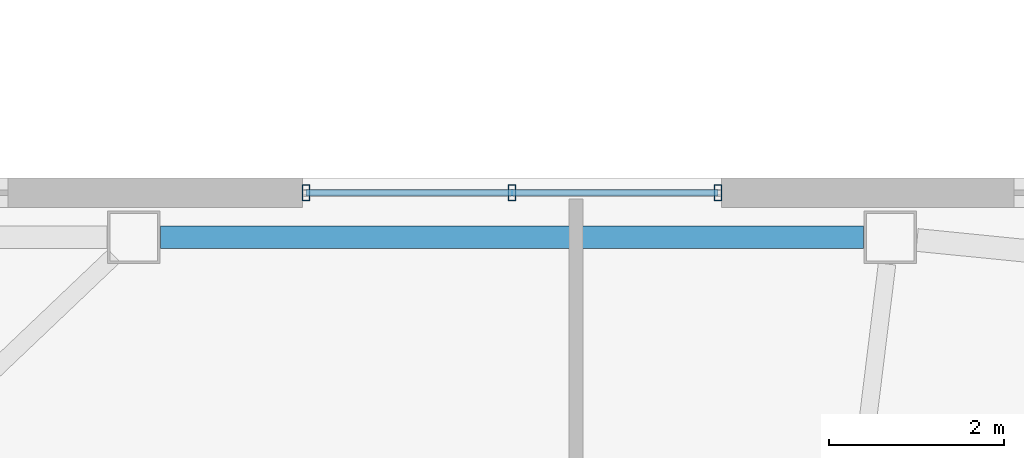
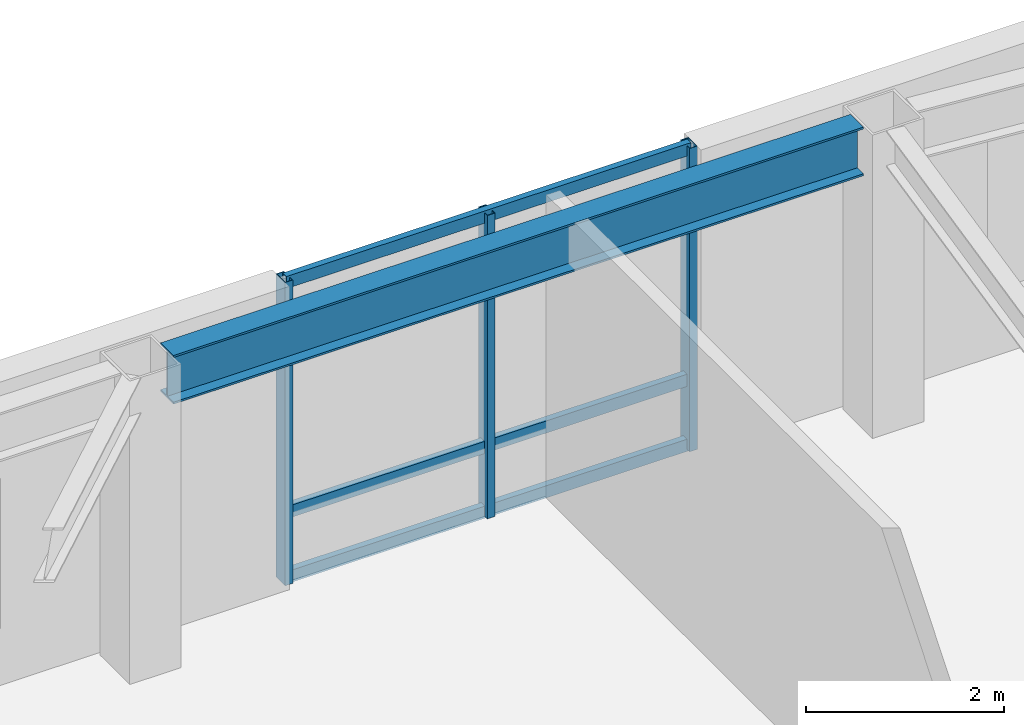
# One storey, part 8 of 20: 6 members, 1 beam, 1 element without a shape of its own.
"""IFC4 building model written with IfcOpenShell, lengths in metres."""

from ifc_helpers import new_model, si_unit, direction, frame, origin, origin_2d, place, context, subcontext, project, spatial, hollow_rectangle, i_section, extrude, material, layer, layer_set, material_profile, profile_set, type_object, element, aggregate, save


model = new_model("IFC4")

# Units and contexts
model_context = context("Model", 3, precision=1e-05, world=origin(), true_north=direction((0.0, 1.0)))
body_context = subcontext(model_context, "Body", "Model", "MODEL_VIEW")
ifc_project = project(units=[si_unit("LENGTHUNIT", "METRE"), si_unit("AREAUNIT", "SQUARE_METRE"), si_unit("VOLUMEUNIT", "CUBIC_METRE"), si_unit("PLANEANGLEUNIT", "RADIAN"), si_unit("MASSUNIT", "GRAM", prefix="KILO")], contexts=[model_context])

# Site, building, storey
site_placement = place(None, origin())
site = spatial("IfcSite", under=ifc_project, at=site_placement, CompositionType="ELEMENT")
building_placement = place(site_placement, origin())
building = spatial("IfcBuilding", under=site, at=building_placement, Name="Tavrogorsk Clinical Tower", CompositionType="ELEMENT")
storey_placement = place(building_placement, frame((0.0, 0.0, 176.199951171875)))
storey = spatial("IfcBuildingStorey", under=building, at=storey_placement, Name="L40", CompositionType="ELEMENT", Elevation=176.199951171875)

# Curtain wall, members
ifc_material_1 = material(Name="Anodised aluminium and triple IGU glazing", Category="aluminium")
ifc_layer = layer(ifc_material_1, 0.179931640625)
ifc_layer_set = layer_set([ifc_layer], Name="Anodised aluminium and triple IGU glazing")
curtain_wall_type = type_object("IfcCurtainWallType", Name="CW2_NorthSlot", PredefinedType="NOTDEFINED", material=ifc_layer_set)
curtain_wall_placement = place(storey_placement, origin())
curtain_wall = element("IfcCurtainWall", 1, at=curtain_wall_placement, inside=storey, type_object=curtain_wall_type, Name="L40 Curtain Wall CW-L40-N-SLOT-1", PredefinedType="NOTDEFINED")
ifc_material_2 = material(Name="Anodised aluminium alloy AW-6060", Category="aluminium")
ifc_material_profile_1 = material_profile(ifc_material_2, hollow_rectangle(XDim=0.090087890625, YDim=0.179931640625, WallThickness=0.00634765625, at=origin_2d()), Name="RHS-180x90x6.3")
ifc_profile_set_1 = profile_set([ifc_material_profile_1], Name="Anodised aluminium alloy AW-6060")
member_type_1 = type_object("IfcMemberType", Name="CwMullion_180x90", PredefinedType="MULLION", material=ifc_profile_set_1)
member_1_placement = place(storey_placement, frame((-3.90380859375, 26.929931640625, 0.0), z_axis=(0.0, 0.0, 1.0), x_axis=(-1.0, 0.0, 0.0)))
member_1 = element("IfcMember", 2, at=member_1_placement, type_object=member_type_1, Name="CW-L40-N-SLOT-1 Mullion 1", PredefinedType="MULLION", context=body_context, shape_type="SweptSolid", body=[
    extrude(hollow_rectangle(XDim=0.090087890625, YDim=0.179931640625, WallThickness=0.00634765625, at=origin_2d()), origin(), (0.0, 0.0, 1.0), 3.739990234375),
])
member_2_placement = place(storey_placement, frame((-6.262939453125, 26.929931640625, 0.0), z_axis=(0.0, 0.0, 1.0), x_axis=(-1.0, 0.0, 0.0)))
member_2 = element("IfcMember", 3, at=member_2_placement, type_object=member_type_1, Name="CW-L40-N-SLOT-1 Mullion 2", PredefinedType="MULLION", context=body_context, shape_type="SweptSolid", body=[
    extrude(hollow_rectangle(XDim=0.090087890625, YDim=0.179931640625, WallThickness=0.00634765625, at=origin_2d()), origin(), (0.0, 0.0, 1.0), 3.739990234375),
])
member_3_placement = place(storey_placement, frame((-8.621826171875, 26.929931640625, 0.0), z_axis=(0.0, 0.0, 1.0), x_axis=(-1.0, 0.0, 0.0)))
member_3 = element("IfcMember", 4, at=member_3_placement, type_object=member_type_1, Name="CW-L40-N-SLOT-1 Mullion 3", PredefinedType="MULLION", context=body_context, shape_type="SweptSolid", body=[
    extrude(hollow_rectangle(XDim=0.090087890625, YDim=0.179931640625, WallThickness=0.00634765625, at=origin_2d()), origin(), (0.0, 0.0, 1.0), 3.739990234375),
])
ifc_material_3 = material(Name="Anodised aluminium alloy AW-6060", Category="aluminium")
ifc_material_profile_2 = material_profile(ifc_material_3, hollow_rectangle(XDim=0.074951171875, YDim=0.14990234375, WallThickness=0.0048828125, at=origin_2d()), Name="RHS-150x75x5")
ifc_profile_set_2 = profile_set([ifc_material_profile_2], Name="Anodised aluminium alloy AW-6060")
member_type_2 = type_object("IfcMemberType", Name="CwTransom_150x75", PredefinedType="USERDEFINED", material=ifc_profile_set_2)
member_4_placement = place(storey_placement, frame((-3.90380859375, 26.929931640625, 0.050048828125), z_axis=(-1.0, 0.0, 0.0), x_axis=(0.0, -1.0, 0.0)))
member_4 = element("IfcMember", 5, at=member_4_placement, type_object=member_type_2, Name="CW-L40-N-SLOT-1 Transom 1", ObjectType="TRANSOM", PredefinedType="USERDEFINED", context=body_context, shape_type="SweptSolid", body=[
    extrude(hollow_rectangle(XDim=0.074951171875, YDim=0.14990234375, WallThickness=0.0048828125, at=origin_2d()), origin(), (0.0, 0.0, 1.0), 4.718017578125),
])
member_5_placement = place(storey_placement, frame((-3.90380859375, 26.929931640625, 0.85009765625), z_axis=(-1.0, 0.0, 0.0), x_axis=(0.0, -1.0, 0.0)))
member_5 = element("IfcMember", 6, at=member_5_placement, type_object=member_type_2, Name="CW-L40-N-SLOT-1 Transom 2", ObjectType="TRANSOM", PredefinedType="USERDEFINED", context=body_context, shape_type="SweptSolid", body=[
    extrude(hollow_rectangle(XDim=0.074951171875, YDim=0.14990234375, WallThickness=0.0048828125, at=origin_2d()), origin(), (0.0, 0.0, 1.0), 4.718017578125),
])
member_6_placement = place(storey_placement, frame((-3.90380859375, 26.929931640625, 3.68994140625), z_axis=(-1.0, 0.0, 0.0), x_axis=(0.0, -1.0, 0.0)))
member_6 = element("IfcMember", 7, at=member_6_placement, type_object=member_type_2, Name="CW-L40-N-SLOT-1 Transom 3", ObjectType="TRANSOM", PredefinedType="USERDEFINED", context=body_context, shape_type="SweptSolid", body=[
    extrude(hollow_rectangle(XDim=0.074951171875, YDim=0.14990234375, WallThickness=0.0048828125, at=origin_2d()), origin(), (0.0, 0.0, 1.0), 4.718017578125),
])
aggregate(curtain_wall, [member_1, member_2, member_3, member_4, member_5, member_6])

# Beam
ifc_material_4 = material(Name="Structural steel S390", Category="steel")
ifc_material_profile_3 = material_profile(ifc_material_4, i_section(OverallWidth=0.260009765625, OverallDepth=0.60009765625, WebThickness=0.014892578125, FlangeThickness=0.02392578125, at=origin_2d()), Name="B-600x260x15x24")
ifc_profile_set_3 = profile_set([ifc_material_profile_3], Name="Structural steel S390")
beam_type = type_object("IfcBeamType", Name="SpandrelBeam_B600", PredefinedType="SPANDREL", material=ifc_profile_set_3)
beam_placement = place(storey_placement, frame((-2.239501953125, 26.419921875, 3.43994140625), z_axis=(-1.0, 0.0, 0.0), x_axis=(0.0, -1.0, 0.0)))
element("IfcBeam", 8, at=beam_placement, inside=storey, type_object=beam_type, Name="L40 Perimeter Spandrel N5-N6", PredefinedType="SPANDREL", context=body_context, shape_type="SweptSolid", body=[
    extrude(i_section(OverallWidth=0.260009765625, OverallDepth=0.60009765625, WebThickness=0.014892578125, FlangeThickness=0.02392578125, at=origin_2d()), origin(), (0.0, 0.0, 1.0), 8.046875),
])

save(model, "model.ifc")
